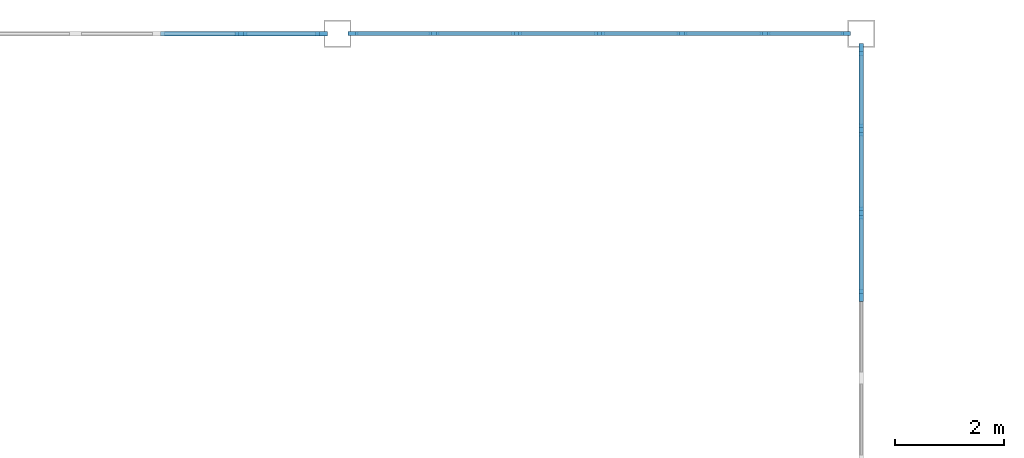
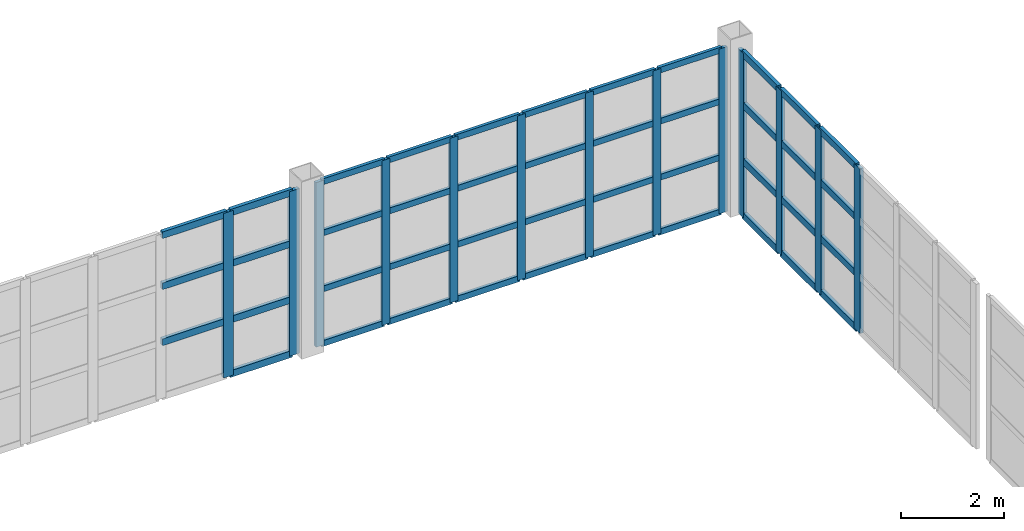
# One storey, part 41 of 82: 56 members, 3 elements without a shape of their own.
"""IFC4 building model written with IfcOpenShell, lengths in metres."""

import ifcopenshell
import ifcopenshell.guid

model = None  # the IFC model being written
_history = None  # IfcOwnerHistory: only IFC2X3 demands one
_inside = {}  # id of a spatial element -> (the spatial element, [elements in it])
_under = {}  # id of a project, library or spatial element -> (it, [spatial elements below it])
_declared = {}  # id of a project -> (the project, [libraries it declares])
_typed = {}  # id of a type object -> (the type object, [elements of that type])
_made_of = {}  # id of a material, layer set ... -> (it, [elements and type objects made of it])


def new_model(schema):
    """Start an empty IFC model of exactly this schema.

    Asked for "IFC4X3", IfcOpenShell would pick the latest addendum, in which some entities
    have other attributes; the version numbers below select the first issue.
    IFC2X3 requires an IfcOwnerHistory on every rooted entity: one is made here for all.
    """
    global model, _history
    if schema == "IFC4X3":
        model = ifcopenshell.file(schema_version=(4, 3, 0, 0))
    else:
        model = ifcopenshell.file(schema=schema)
    _inside.clear()
    _under.clear()
    _declared.clear()
    _typed.clear()
    _made_of.clear()
    _history = None
    if model.schema == "IFC2X3":
        org = make("IfcOrganization", Name="unknown")
        user = make(
            "IfcPersonAndOrganization",
            ThePerson=make("IfcPerson", FamilyName="unknown"),
            TheOrganization=org,
        )
        app = make(
            "IfcApplication",
            ApplicationDeveloper=org,
            Version="unknown",
            ApplicationFullName="unknown",
            ApplicationIdentifier="unknown",
        )
        _history = make(
            "IfcOwnerHistory",
            OwningUser=user,
            OwningApplication=app,
            ChangeAction="ADDED",
            CreationDate=0,
        )
    return model


def make(cls, **values):
    """One entity of the class cls with the attributes given. An attribute that is None is left unset."""
    return model.create_entity(
        cls, **{name: value for name, value in values.items() if value is not None}
    )


def rooted(cls, **values):
    """An entity with a GlobalId (a new one), such as an element, a storey or a relation."""
    return make(cls, GlobalId=ifcopenshell.guid.new(), OwnerHistory=_history, **values)


def si_unit(unit_type, name, prefix=None):
    """IfcSIUnit, for example si_unit("LENGTHUNIT", "METRE", prefix="MILLI")."""
    return make("IfcSIUnit", UnitType=unit_type, Prefix=prefix, Name=name)


def assignment(units):
    """IfcUnitAssignment: the units of a project."""
    return None if units is None else make("IfcUnitAssignment", Units=units)


def point(xyz):
    """IfcCartesianPoint."""
    return None if xyz is None else make("IfcCartesianPoint", Coordinates=xyz)


def direction(xyz):
    """IfcDirection."""
    return None if xyz is None else make("IfcDirection", DirectionRatios=xyz)


def frame(location, z_axis=None, x_axis=None):
    """IfcAxis2Placement3D, a coordinate frame: its origin and axes. An axis left out is left unset."""
    return make(
        "IfcAxis2Placement3D",
        Location=point(location),
        Axis=direction(z_axis),
        RefDirection=direction(x_axis),
    )


def frame_2d(location, x_axis=None):
    """IfcAxis2Placement2D, a coordinate frame in the plane: its origin and x axis."""
    return make(
        "IfcAxis2Placement2D", Location=point(location), RefDirection=direction(x_axis)
    )


def origin():
    """The frame at (0, 0, 0) with its axes left unset."""
    return frame((0.0, 0.0, 0.0))


def origin_2d():
    """The frame at (0, 0) in the plane with its x axis left unset."""
    return frame_2d((0.0, 0.0))


def place(relative_to, where):
    """IfcLocalPlacement: puts the frame where relative to a parent placement (None: the world)."""
    return make(
        "IfcLocalPlacement", PlacementRelTo=relative_to, RelativePlacement=where
    )


def context(
    kind, dimensions, precision=None, world=None, true_north=None, identifier=None
):
    """IfcGeometricRepresentationContext, for example the 3D "Model" context."""
    return make(
        "IfcGeometricRepresentationContext",
        ContextIdentifier=identifier,
        ContextType=kind,
        CoordinateSpaceDimension=dimensions,
        Precision=precision,
        WorldCoordinateSystem=world,
        TrueNorth=true_north,
    )


def subcontext(parent, identifier, kind, view, scale=None):
    """IfcGeometricRepresentationSubContext, for example "Body" below "Model"."""
    return make(
        "IfcGeometricRepresentationSubContext",
        ContextIdentifier=identifier,
        ContextType=kind,
        ParentContext=parent,
        TargetScale=scale,
        TargetView=view,
    )


def project(units=None, contexts=None):
    """IfcProject with its units and contexts."""
    return rooted(
        "IfcProject",
        Name="project",
        RepresentationContexts=contexts,
        UnitsInContext=assignment(units),
    )


def spatial(cls, under=None, at=None, **own):
    """A site, building, storey or space (cls), placed at a placement, below another one or the project."""
    s = rooted(cls, ObjectPlacement=at, **own)
    if under is not None:
        _under.setdefault(under.id(), (under, []))[1].append(s)
    return s


def profile(cls, at=None, kind="AREA", **sizes):
    """A parametric profile (cls). Its sizes go by their IFC names, for example OverallWidth=200.0."""
    return make(cls, ProfileType=kind, Position=at, **sizes)


def rectangle(**sizes):
    """IfcRectangleProfileDef."""
    return profile("IfcRectangleProfileDef", **sizes)


def extrude(swept, where, along, depth):
    """IfcExtrudedAreaSolid: the profile swept, set in the frame where, extruded along a direction by depth."""
    return make(
        "IfcExtrudedAreaSolid",
        SweptArea=swept,
        Position=where,
        ExtrudedDirection=direction(along),
        Depth=depth,
    )


def shape(context_of_items, identifier, shape_type, items):
    """IfcShapeRepresentation: the items that make up one representation, for example the "Body"."""
    return make(
        "IfcShapeRepresentation",
        ContextOfItems=context_of_items,
        RepresentationIdentifier=identifier,
        RepresentationType=shape_type,
        Items=items,
    )


def material(Name=None, Category=None):
    """IfcMaterial."""
    return make("IfcMaterial", Name=Name, Category=Category)


def layer(
    of_material, thickness, ventilated=None, Name=None, Category=None, Priority=None
):
    """IfcMaterialLayer: one layer of a wall or slab, of a material (None: an air gap)."""
    return make(
        "IfcMaterialLayer",
        Material=of_material,
        LayerThickness=thickness,
        IsVentilated=ventilated,
        Name=Name,
        Category=Category,
        Priority=Priority,
    )


def layer_set(layers, Name=None):
    """IfcMaterialLayerSet."""
    return make("IfcMaterialLayerSet", MaterialLayers=layers, LayerSetName=Name)


def material_profile(
    of_material, cross_section, Name=None, Category=None, Priority=None
):
    """IfcMaterialProfile: a cross section and its material."""
    return make(
        "IfcMaterialProfile",
        Name=Name,
        Material=of_material,
        Profile=cross_section,
        Priority=Priority,
        Category=Category,
    )


def profile_set(profiles, Name=None, composite=None):
    """IfcMaterialProfileSet."""
    return make(
        "IfcMaterialProfileSet",
        Name=Name,
        MaterialProfiles=profiles,
        CompositeProfile=composite,
    )


def made_of(thing, what):
    """Note that an element or type object is made of a material, layer set ...; save() writes the relation."""
    if what is not None:
        _made_of.setdefault(what.id(), (what, []))[1].append(thing)
    return thing


def type_object(cls, material=None, **own):
    """A type object (cls), such as IfcWallType, which elements share."""
    return made_of(rooted(cls, **own), material)


def element(
    cls,
    number,
    at=None,
    inside=None,
    cuts=None,
    type_object=None,
    material=None,
    context=None,
    identifier="Body",
    shape_type=None,
    held_by="IfcProductDefinitionShape",
    body=None,
    shapes=None,
    **own,
):
    """One element of the class cls, such as IfcWall. Its Tag is "e" and its number.

    at: its placement. inside: the storey or other place that contains it. cuts: it is an
    opening in that element (IfcRelVoidsElement). A single representation is given by context,
    identifier, shape_type and body (its items); several are given by shapes. held_by: the class
    of the entity that holds the representations. save() writes the other relations.
    """
    e = rooted(cls, Tag="e%d" % number, ObjectPlacement=at, **own)
    if body is not None:
        shapes = [shape(context, identifier, shape_type, body)]
    if shapes is not None:
        e.Representation = make(held_by, Representations=shapes)
    if inside is not None:
        _inside.setdefault(inside.id(), (inside, []))[1].append(e)
    if cuts is not None:
        rooted(
            "IfcRelVoidsElement", RelatingBuildingElement=cuts, RelatedOpeningElement=e
        )
    if type_object is not None:
        _typed.setdefault(type_object.id(), (type_object, []))[1].append(e)
    return made_of(e, material)


def aggregate(whole, parts):
    """IfcRelAggregates: a whole, such as a stair, and the parts it consists of."""
    return rooted("IfcRelAggregates", RelatingObject=whole, RelatedObjects=parts)


def save(model, path):
    """Write the relations noted so far, then the file.

    IfcRelAggregates (storeys below a building ...), IfcRelContainedInSpatialStructure (elements
    in a storey), IfcRelDefinesByType, IfcRelAssociatesMaterial and IfcRelDeclares: one each for
    every whole, place, type object, material and project.
    """
    for whole, parts in _under.values():
        aggregate(whole, parts)
    for where, things in _inside.values():
        rooted(
            "IfcRelContainedInSpatialStructure",
            RelatedElements=things,
            RelatingStructure=where,
        )
    for kind, things in _typed.values():
        rooted("IfcRelDefinesByType", RelatedObjects=things, RelatingType=kind)
    for what, things in _made_of.values():
        rooted("IfcRelAssociatesMaterial", RelatedObjects=things, RelatingMaterial=what)
    for by, libraries in _declared.values():
        rooted("IfcRelDeclares", RelatingContext=by, RelatedDefinitions=libraries)
    model.write(path)


model = new_model("IFC4")

# Units and contexts
model_context = context("Model", 3, precision=1e-05, world=origin(), true_north=direction((0.0, 1.0)))
body_context = subcontext(model_context, "Body", "Model", "MODEL_VIEW")
ifc_project = project(units=[si_unit("LENGTHUNIT", "METRE"), si_unit("AREAUNIT", "SQUARE_METRE"), si_unit("VOLUMEUNIT", "CUBIC_METRE"), si_unit("PLANEANGLEUNIT", "RADIAN"), si_unit("MASSUNIT", "GRAM", prefix="KILO")], contexts=[model_context])

# Site, building, storey
site_placement = place(None, origin())
site = spatial("IfcSite", under=ifc_project, at=site_placement, CompositionType="ELEMENT")
building_placement = place(site_placement, origin())
building = spatial("IfcBuilding", under=site, at=building_placement, Name="Zarnetskaya Central Station", CompositionType="ELEMENT")
storey_placement = place(building_placement, frame((0.0, 0.0, 10.199951171875)))
storey = spatial("IfcBuildingStorey", under=building, at=storey_placement, Name="L02", CompositionType="ELEMENT", Elevation=10.199951171875)

# Curtain wall, members
ifc_material_1 = material(Name="Low-E insulated glass", Category="glass")
ifc_layer = layer(ifc_material_1, 0.1640625, Name="Low-E insulated glass", Category="glass")
ifc_layer_set = layer_set([ifc_layer], Name="Low-E insulated glass")
curtain_wall_type = type_object("IfcCurtainWallType", Name="CW-SYS-12", PredefinedType="USERDEFINED", material=ifc_layer_set)
curtain_wall_1_placement = place(storey_placement, origin())
curtain_wall_1 = element("IfcCurtainWall", 1, at=curtain_wall_1_placement, inside=storey, type_object=curtain_wall_type, Name="Curtain wall CW-L02-175", ObjectType="CURTAIN WALL", PredefinedType="USERDEFINED")
ifc_material_2 = material(Name="Anodised aluminium", Category="aluminium")
ifc_material_profile_1 = material_profile(ifc_material_2, rectangle(XDim=0.070068359375, YDim=0.179931640625, at=origin_2d()), Name="ALU MULL 70x180")
ifc_profile_set_1 = profile_set([ifc_material_profile_1], Name="Anodised aluminium")
member_type_1 = type_object("IfcMemberType", Name="CW-MULL-180", PredefinedType="MULLION", material=ifc_profile_set_1)
member_1_placement = place(storey_placement, frame((115.485107421875, 124.800048828125, 0.0), z_axis=(0.0, 0.0, 1.0), x_axis=(0.0, 1.0, 0.0)))
member_1 = element("IfcMember", 2, at=member_1_placement, type_object=member_type_1, Name="CW-18 mullion 1", PredefinedType="MULLION", context=body_context, shape_type="SweptSolid", body=[
    extrude(rectangle(XDim=0.070068359375, YDim=0.179931640625, at=origin_2d()), origin(), (0.0, 0.0, 1.0), 3.900146484375),
])
member_2_placement = place(storey_placement, frame((116.966552734375, 124.800048828125, 0.0), z_axis=(0.0, 0.0, 1.0), x_axis=(0.0, 1.0, 0.0)))
member_2 = element("IfcMember", 3, at=member_2_placement, type_object=member_type_1, Name="CW-18 mullion 2", PredefinedType="MULLION", context=body_context, shape_type="SweptSolid", body=[
    extrude(rectangle(XDim=0.070068359375, YDim=0.179931640625, at=origin_2d()), origin(), (0.0, 0.0, 1.0), 3.900146484375),
])
member_3_placement = place(storey_placement, frame((118.4833984375, 124.800048828125, 0.0), z_axis=(0.0, 0.0, 1.0), x_axis=(0.0, 1.0, 0.0)))
member_3 = element("IfcMember", 4, at=member_3_placement, type_object=member_type_1, Name="CW-18 mullion 3", PredefinedType="MULLION", context=body_context, shape_type="SweptSolid", body=[
    extrude(rectangle(XDim=0.070068359375, YDim=0.179931640625, at=origin_2d()), origin(), (0.0, 0.0, 1.0), 3.900146484375),
])
member_4_placement = place(storey_placement, frame((120.0, 124.800048828125, 0.0), z_axis=(0.0, 0.0, 1.0), x_axis=(0.0, 1.0, 0.0)))
member_4 = element("IfcMember", 5, at=member_4_placement, type_object=member_type_1, Name="CW-18 mullion 4", PredefinedType="MULLION", context=body_context, shape_type="SweptSolid", body=[
    extrude(rectangle(XDim=0.070068359375, YDim=0.179931640625, at=origin_2d()), origin(), (0.0, 0.0, 1.0), 3.900146484375),
])
member_5_placement = place(storey_placement, frame((121.5166015625, 124.800048828125, 0.0), z_axis=(0.0, 0.0, 1.0), x_axis=(0.0, 1.0, 0.0)))
member_5 = element("IfcMember", 6, at=member_5_placement, type_object=member_type_1, Name="CW-18 mullion 5", PredefinedType="MULLION", context=body_context, shape_type="SweptSolid", body=[
    extrude(rectangle(XDim=0.070068359375, YDim=0.179931640625, at=origin_2d()), origin(), (0.0, 0.0, 1.0), 3.900146484375),
])
member_6_placement = place(storey_placement, frame((123.033447265625, 124.800048828125, 0.0), z_axis=(0.0, 0.0, 1.0), x_axis=(0.0, 1.0, 0.0)))
member_6 = element("IfcMember", 7, at=member_6_placement, type_object=member_type_1, Name="CW-18 mullion 6", PredefinedType="MULLION", context=body_context, shape_type="SweptSolid", body=[
    extrude(rectangle(XDim=0.070068359375, YDim=0.179931640625, at=origin_2d()), origin(), (0.0, 0.0, 1.0), 3.900146484375),
])
member_7_placement = place(storey_placement, frame((124.514892578125, 124.800048828125, 0.0), z_axis=(0.0, 0.0, 1.0), x_axis=(0.0, 1.0, 0.0)))
member_7 = element("IfcMember", 8, at=member_7_placement, type_object=member_type_1, Name="CW-18 mullion 7", PredefinedType="MULLION", context=body_context, shape_type="SweptSolid", body=[
    extrude(rectangle(XDim=0.070068359375, YDim=0.179931640625, at=origin_2d()), origin(), (0.0, 0.0, 1.0), 3.900146484375),
])

curtain_wall_2_placement = place(storey_placement, origin())
curtain_wall_2 = element("IfcCurtainWall", 9, at=curtain_wall_2_placement, inside=storey, type_object=curtain_wall_type, Name="Curtain wall CW-L02-174", ObjectType="CURTAIN WALL", PredefinedType="USERDEFINED")
ifc_material_profile_2 = material_profile(ifc_material_2, rectangle(XDim=0.080078125, YDim=0.219970703125, at=origin_2d()), Name="ALU MULL 80x220")
ifc_profile_set_2 = profile_set([ifc_material_profile_2], Name="Anodised aluminium")
member_type_2 = type_object("IfcMemberType", Name="CW-MULL-220", PredefinedType="MULLION", material=ifc_profile_set_2)
member_8_placement = place(storey_placement, frame((113.433349609375, 124.800048828125, 0.0), z_axis=(0.0, 0.0, 1.0), x_axis=(0.0, 1.0, 0.0)))
member_8 = element("IfcMember", 10, at=member_8_placement, type_object=member_type_2, Name="CW-18 mullion 6", PredefinedType="MULLION", context=body_context, shape_type="SweptSolid", body=[
    extrude(rectangle(XDim=0.080078125, YDim=0.219970703125, at=origin_2d()), origin(), (0.0, 0.0, 1.0), 3.900146484375),
])
member_9_placement = place(storey_placement, frame((114.909912109375, 124.800048828125, 0.0), z_axis=(0.0, 0.0, 1.0), x_axis=(0.0, 1.0, 0.0)))
member_9 = element("IfcMember", 11, at=member_9_placement, type_object=member_type_2, Name="CW-18 mullion 7", PredefinedType="MULLION", context=body_context, shape_type="SweptSolid", body=[
    extrude(rectangle(XDim=0.080078125, YDim=0.219970703125, at=origin_2d()), origin(), (0.0, 0.0, 1.0), 3.900146484375),
])

curtain_wall_3_placement = place(storey_placement, origin())
curtain_wall_3 = element("IfcCurtainWall", 12, at=curtain_wall_3_placement, inside=storey, type_object=curtain_wall_type, Name="Curtain wall CW-L02-176", ObjectType="CURTAIN WALL", PredefinedType="USERDEFINED")
member_10_placement = place(storey_placement, frame((124.800048828125, 124.510009765625, 0.0), z_axis=(0.0, 0.0, 1.0), x_axis=(1.0, 0.0, 0.0)))
member_10 = element("IfcMember", 13, at=member_10_placement, type_object=member_type_2, Name="CW-18 mullion 1", PredefinedType="MULLION", context=body_context, shape_type="SweptSolid", body=[
    extrude(rectangle(XDim=0.080078125, YDim=0.219970703125, at=origin_2d()), origin(), (0.0, 0.0, 1.0), 3.900146484375),
])
member_11_placement = place(storey_placement, frame((124.800048828125, 123.033447265625, 0.0), z_axis=(0.0, 0.0, 1.0), x_axis=(1.0, 0.0, 0.0)))
member_11 = element("IfcMember", 14, at=member_11_placement, type_object=member_type_2, Name="CW-18 mullion 2", PredefinedType="MULLION", context=body_context, shape_type="SweptSolid", body=[
    extrude(rectangle(XDim=0.080078125, YDim=0.219970703125, at=origin_2d()), origin(), (0.0, 0.0, 1.0), 3.900146484375),
])
member_12_placement = place(storey_placement, frame((124.800048828125, 121.5166015625, 0.0), z_axis=(0.0, 0.0, 1.0), x_axis=(1.0, 0.0, 0.0)))
member_12 = element("IfcMember", 15, at=member_12_placement, type_object=member_type_2, Name="CW-18 mullion 3", PredefinedType="MULLION", context=body_context, shape_type="SweptSolid", body=[
    extrude(rectangle(XDim=0.080078125, YDim=0.219970703125, at=origin_2d()), origin(), (0.0, 0.0, 1.0), 3.900146484375),
])
member_13_placement = place(storey_placement, frame((124.800048828125, 120.0, 0.0), z_axis=(0.0, 0.0, 1.0), x_axis=(1.0, 0.0, 0.0)))
member_13 = element("IfcMember", 16, at=member_13_placement, type_object=member_type_2, Name="CW-18 mullion 4", PredefinedType="MULLION", context=body_context, shape_type="SweptSolid", body=[
    extrude(rectangle(XDim=0.080078125, YDim=0.219970703125, at=origin_2d()), origin(), (0.0, 0.0, 1.0), 3.900146484375),
])

# Member
ifc_material_profile_3 = material_profile(ifc_material_2, rectangle(XDim=0.070068359375, YDim=0.139892578125, at=origin_2d()), Name="ALU TRAN 70x140")
ifc_profile_set_3 = profile_set([ifc_material_profile_3], Name="Anodised aluminium")
member_type_3 = type_object("IfcMemberType", Name="CW-TRAN-140", PredefinedType="USERDEFINED", material=ifc_profile_set_3)
member_14_placement = place(storey_placement, frame((115.52001953125, 124.800048828125, 0.03515625), z_axis=(1.0, 0.0, 0.0), x_axis=(0.0, 1.0, 0.0)))
member_14 = element("IfcMember", 17, at=member_14_placement, type_object=member_type_3, Name="CW-18 transom 1.1", ObjectType="TRANSOM", PredefinedType="USERDEFINED", context=body_context, shape_type="SweptSolid", body=[
    extrude(rectangle(XDim=0.070068359375, YDim=0.139892578125, at=origin_2d()), origin(), (0.0, 0.0, 1.0), 1.41162109375),
])

member_15_placement = place(storey_placement, frame((115.52001953125, 124.800048828125, 1.325927734375), z_axis=(1.0, 0.0, 0.0), x_axis=(0.0, 1.0, 0.0)))
member_15 = element("IfcMember", 18, at=member_15_placement, type_object=member_type_3, Name="CW-18 transom 1.2", ObjectType="TRANSOM", PredefinedType="USERDEFINED", context=body_context, shape_type="SweptSolid", body=[
    extrude(rectangle(XDim=0.070068359375, YDim=0.139892578125, at=origin_2d()), origin(), (0.0, 0.0, 1.0), 1.41162109375),
])

member_16_placement = place(storey_placement, frame((115.52001953125, 124.800048828125, 2.652099609375), z_axis=(1.0, 0.0, 0.0), x_axis=(0.0, 1.0, 0.0)))
member_16 = element("IfcMember", 19, at=member_16_placement, type_object=member_type_3, Name="CW-18 transom 1.3", ObjectType="TRANSOM", PredefinedType="USERDEFINED", context=body_context, shape_type="SweptSolid", body=[
    extrude(rectangle(XDim=0.070068359375, YDim=0.139892578125, at=origin_2d()), origin(), (0.0, 0.0, 1.0), 1.41162109375),
])

member_17_placement = place(storey_placement, frame((115.52001953125, 124.800048828125, 3.864990234375), z_axis=(1.0, 0.0, 0.0), x_axis=(0.0, 1.0, 0.0)))
member_17 = element("IfcMember", 20, at=member_17_placement, type_object=member_type_3, Name="CW-18 transom 1.4", ObjectType="TRANSOM", PredefinedType="USERDEFINED", context=body_context, shape_type="SweptSolid", body=[
    extrude(rectangle(XDim=0.070068359375, YDim=0.139892578125, at=origin_2d()), origin(), (0.0, 0.0, 1.0), 1.41162109375),
])

member_18_placement = place(storey_placement, frame((117.001708984375, 124.800048828125, 0.03515625), z_axis=(1.0, 0.0, 0.0), x_axis=(0.0, 1.0, 0.0)))
member_18 = element("IfcMember", 21, at=member_18_placement, type_object=member_type_3, Name="CW-18 transom 2.1", ObjectType="TRANSOM", PredefinedType="USERDEFINED", context=body_context, shape_type="SweptSolid", body=[
    extrude(rectangle(XDim=0.070068359375, YDim=0.139892578125, at=origin_2d()), origin(), (0.0, 0.0, 1.0), 1.446533203125),
])

member_19_placement = place(storey_placement, frame((117.001708984375, 124.800048828125, 1.325927734375), z_axis=(1.0, 0.0, 0.0), x_axis=(0.0, 1.0, 0.0)))
member_19 = element("IfcMember", 22, at=member_19_placement, type_object=member_type_3, Name="CW-18 transom 2.2", ObjectType="TRANSOM", PredefinedType="USERDEFINED", context=body_context, shape_type="SweptSolid", body=[
    extrude(rectangle(XDim=0.070068359375, YDim=0.139892578125, at=origin_2d()), origin(), (0.0, 0.0, 1.0), 1.446533203125),
])

member_20_placement = place(storey_placement, frame((117.001708984375, 124.800048828125, 2.652099609375), z_axis=(1.0, 0.0, 0.0), x_axis=(0.0, 1.0, 0.0)))
member_20 = element("IfcMember", 23, at=member_20_placement, type_object=member_type_3, Name="CW-18 transom 2.3", ObjectType="TRANSOM", PredefinedType="USERDEFINED", context=body_context, shape_type="SweptSolid", body=[
    extrude(rectangle(XDim=0.070068359375, YDim=0.139892578125, at=origin_2d()), origin(), (0.0, 0.0, 1.0), 1.446533203125),
])

member_21_placement = place(storey_placement, frame((117.001708984375, 124.800048828125, 3.864990234375), z_axis=(1.0, 0.0, 0.0), x_axis=(0.0, 1.0, 0.0)))
member_21 = element("IfcMember", 24, at=member_21_placement, type_object=member_type_3, Name="CW-18 transom 2.4", ObjectType="TRANSOM", PredefinedType="USERDEFINED", context=body_context, shape_type="SweptSolid", body=[
    extrude(rectangle(XDim=0.070068359375, YDim=0.139892578125, at=origin_2d()), origin(), (0.0, 0.0, 1.0), 1.446533203125),
])

member_22_placement = place(storey_placement, frame((118.518310546875, 124.800048828125, 0.03515625), z_axis=(1.0, 0.0, 0.0), x_axis=(0.0, 1.0, 0.0)))
member_22 = element("IfcMember", 25, at=member_22_placement, type_object=member_type_3, Name="CW-18 transom 3.1", ObjectType="TRANSOM", PredefinedType="USERDEFINED", context=body_context, shape_type="SweptSolid", body=[
    extrude(rectangle(XDim=0.070068359375, YDim=0.139892578125, at=origin_2d()), origin(), (0.0, 0.0, 1.0), 1.44677734375),
])

member_23_placement = place(storey_placement, frame((118.518310546875, 124.800048828125, 1.325927734375), z_axis=(1.0, 0.0, 0.0), x_axis=(0.0, 1.0, 0.0)))
member_23 = element("IfcMember", 26, at=member_23_placement, type_object=member_type_3, Name="CW-18 transom 3.2", ObjectType="TRANSOM", PredefinedType="USERDEFINED", context=body_context, shape_type="SweptSolid", body=[
    extrude(rectangle(XDim=0.070068359375, YDim=0.139892578125, at=origin_2d()), origin(), (0.0, 0.0, 1.0), 1.44677734375),
])

member_24_placement = place(storey_placement, frame((118.518310546875, 124.800048828125, 2.652099609375), z_axis=(1.0, 0.0, 0.0), x_axis=(0.0, 1.0, 0.0)))
member_24 = element("IfcMember", 27, at=member_24_placement, type_object=member_type_3, Name="CW-18 transom 3.3", ObjectType="TRANSOM", PredefinedType="USERDEFINED", context=body_context, shape_type="SweptSolid", body=[
    extrude(rectangle(XDim=0.070068359375, YDim=0.139892578125, at=origin_2d()), origin(), (0.0, 0.0, 1.0), 1.44677734375),
])

member_25_placement = place(storey_placement, frame((118.518310546875, 124.800048828125, 3.864990234375), z_axis=(1.0, 0.0, 0.0), x_axis=(0.0, 1.0, 0.0)))
member_25 = element("IfcMember", 28, at=member_25_placement, type_object=member_type_3, Name="CW-18 transom 3.4", ObjectType="TRANSOM", PredefinedType="USERDEFINED", context=body_context, shape_type="SweptSolid", body=[
    extrude(rectangle(XDim=0.070068359375, YDim=0.139892578125, at=origin_2d()), origin(), (0.0, 0.0, 1.0), 1.44677734375),
])

member_26_placement = place(storey_placement, frame((120.034912109375, 124.800048828125, 0.03515625), z_axis=(1.0, 0.0, 0.0), x_axis=(0.0, 1.0, 0.0)))
member_26 = element("IfcMember", 29, at=member_26_placement, type_object=member_type_3, Name="CW-18 transom 4.1", ObjectType="TRANSOM", PredefinedType="USERDEFINED", context=body_context, shape_type="SweptSolid", body=[
    extrude(rectangle(XDim=0.070068359375, YDim=0.139892578125, at=origin_2d()), origin(), (0.0, 0.0, 1.0), 1.44677734375),
])

member_27_placement = place(storey_placement, frame((120.034912109375, 124.800048828125, 1.325927734375), z_axis=(1.0, 0.0, 0.0), x_axis=(0.0, 1.0, 0.0)))
member_27 = element("IfcMember", 30, at=member_27_placement, type_object=member_type_3, Name="CW-18 transom 4.2", ObjectType="TRANSOM", PredefinedType="USERDEFINED", context=body_context, shape_type="SweptSolid", body=[
    extrude(rectangle(XDim=0.070068359375, YDim=0.139892578125, at=origin_2d()), origin(), (0.0, 0.0, 1.0), 1.44677734375),
])

member_28_placement = place(storey_placement, frame((120.034912109375, 124.800048828125, 2.652099609375), z_axis=(1.0, 0.0, 0.0), x_axis=(0.0, 1.0, 0.0)))
member_28 = element("IfcMember", 31, at=member_28_placement, type_object=member_type_3, Name="CW-18 transom 4.3", ObjectType="TRANSOM", PredefinedType="USERDEFINED", context=body_context, shape_type="SweptSolid", body=[
    extrude(rectangle(XDim=0.070068359375, YDim=0.139892578125, at=origin_2d()), origin(), (0.0, 0.0, 1.0), 1.44677734375),
])

member_29_placement = place(storey_placement, frame((120.034912109375, 124.800048828125, 3.864990234375), z_axis=(1.0, 0.0, 0.0), x_axis=(0.0, 1.0, 0.0)))
member_29 = element("IfcMember", 32, at=member_29_placement, type_object=member_type_3, Name="CW-18 transom 4.4", ObjectType="TRANSOM", PredefinedType="USERDEFINED", context=body_context, shape_type="SweptSolid", body=[
    extrude(rectangle(XDim=0.070068359375, YDim=0.139892578125, at=origin_2d()), origin(), (0.0, 0.0, 1.0), 1.44677734375),
])

member_30_placement = place(storey_placement, frame((121.5517578125, 124.800048828125, 0.03515625), z_axis=(1.0, 0.0, 0.0), x_axis=(0.0, 1.0, 0.0)))
member_30 = element("IfcMember", 33, at=member_30_placement, type_object=member_type_3, Name="CW-18 transom 5.1", ObjectType="TRANSOM", PredefinedType="USERDEFINED", context=body_context, shape_type="SweptSolid", body=[
    extrude(rectangle(XDim=0.070068359375, YDim=0.139892578125, at=origin_2d()), origin(), (0.0, 0.0, 1.0), 1.446533203125),
])

member_31_placement = place(storey_placement, frame((121.5517578125, 124.800048828125, 1.325927734375), z_axis=(1.0, 0.0, 0.0), x_axis=(0.0, 1.0, 0.0)))
member_31 = element("IfcMember", 34, at=member_31_placement, type_object=member_type_3, Name="CW-18 transom 5.2", ObjectType="TRANSOM", PredefinedType="USERDEFINED", context=body_context, shape_type="SweptSolid", body=[
    extrude(rectangle(XDim=0.070068359375, YDim=0.139892578125, at=origin_2d()), origin(), (0.0, 0.0, 1.0), 1.446533203125),
])

member_32_placement = place(storey_placement, frame((121.5517578125, 124.800048828125, 2.652099609375), z_axis=(1.0, 0.0, 0.0), x_axis=(0.0, 1.0, 0.0)))
member_32 = element("IfcMember", 35, at=member_32_placement, type_object=member_type_3, Name="CW-18 transom 5.3", ObjectType="TRANSOM", PredefinedType="USERDEFINED", context=body_context, shape_type="SweptSolid", body=[
    extrude(rectangle(XDim=0.070068359375, YDim=0.139892578125, at=origin_2d()), origin(), (0.0, 0.0, 1.0), 1.446533203125),
])

member_33_placement = place(storey_placement, frame((121.5517578125, 124.800048828125, 3.864990234375), z_axis=(1.0, 0.0, 0.0), x_axis=(0.0, 1.0, 0.0)))
member_33 = element("IfcMember", 36, at=member_33_placement, type_object=member_type_3, Name="CW-18 transom 5.4", ObjectType="TRANSOM", PredefinedType="USERDEFINED", context=body_context, shape_type="SweptSolid", body=[
    extrude(rectangle(XDim=0.070068359375, YDim=0.139892578125, at=origin_2d()), origin(), (0.0, 0.0, 1.0), 1.446533203125),
])

member_34_placement = place(storey_placement, frame((123.068359375, 124.800048828125, 0.03515625), z_axis=(1.0, 0.0, 0.0), x_axis=(0.0, 1.0, 0.0)))
member_34 = element("IfcMember", 37, at=member_34_placement, type_object=member_type_3, Name="CW-18 transom 6.1", ObjectType="TRANSOM", PredefinedType="USERDEFINED", context=body_context, shape_type="SweptSolid", body=[
    extrude(rectangle(XDim=0.070068359375, YDim=0.139892578125, at=origin_2d()), origin(), (0.0, 0.0, 1.0), 1.41162109375),
])

member_35_placement = place(storey_placement, frame((123.068359375, 124.800048828125, 1.325927734375), z_axis=(1.0, 0.0, 0.0), x_axis=(0.0, 1.0, 0.0)))
member_35 = element("IfcMember", 38, at=member_35_placement, type_object=member_type_3, Name="CW-18 transom 6.2", ObjectType="TRANSOM", PredefinedType="USERDEFINED", context=body_context, shape_type="SweptSolid", body=[
    extrude(rectangle(XDim=0.070068359375, YDim=0.139892578125, at=origin_2d()), origin(), (0.0, 0.0, 1.0), 1.41162109375),
])

member_36_placement = place(storey_placement, frame((123.068359375, 124.800048828125, 2.652099609375), z_axis=(1.0, 0.0, 0.0), x_axis=(0.0, 1.0, 0.0)))
member_36 = element("IfcMember", 39, at=member_36_placement, type_object=member_type_3, Name="CW-18 transom 6.3", ObjectType="TRANSOM", PredefinedType="USERDEFINED", context=body_context, shape_type="SweptSolid", body=[
    extrude(rectangle(XDim=0.070068359375, YDim=0.139892578125, at=origin_2d()), origin(), (0.0, 0.0, 1.0), 1.41162109375),
])

member_37_placement = place(storey_placement, frame((123.068359375, 124.800048828125, 3.864990234375), z_axis=(1.0, 0.0, 0.0), x_axis=(0.0, 1.0, 0.0)))
member_37 = element("IfcMember", 40, at=member_37_placement, type_object=member_type_3, Name="CW-18 transom 6.4", ObjectType="TRANSOM", PredefinedType="USERDEFINED", context=body_context, shape_type="SweptSolid", body=[
    extrude(rectangle(XDim=0.070068359375, YDim=0.139892578125, at=origin_2d()), origin(), (0.0, 0.0, 1.0), 1.41162109375),
])

aggregate(curtain_wall_1, [member_1, member_2, member_3, member_4, member_5, member_6, member_7, member_14, member_15, member_16, member_17, member_18, member_19, member_20, member_21, member_22, member_23, member_24, member_25, member_26, member_27, member_28, member_29, member_30, member_31, member_32, member_33, member_34, member_35, member_36, member_37])

ifc_material_profile_4 = material_profile(ifc_material_2, rectangle(XDim=0.080078125, YDim=0.159912109375, at=origin_2d()), Name="ALU TRAN 80x160")
ifc_profile_set_4 = profile_set([ifc_material_profile_4], Name="Anodised aluminium")
member_type_4 = type_object("IfcMemberType", Name="CW-TRAN-160", PredefinedType="USERDEFINED", material=ifc_profile_set_4)
member_38_placement = place(storey_placement, frame((111.956787109375, 124.800048828125, 1.325927734375), z_axis=(1.0, 0.0, 0.0), x_axis=(0.0, 1.0, 0.0)))
member_38 = element("IfcMember", 41, at=member_38_placement, type_object=member_type_4, Name="CW-18 transom 5.2", ObjectType="TRANSOM", PredefinedType="USERDEFINED", context=body_context, shape_type="SweptSolid", body=[
    extrude(rectangle(XDim=0.080078125, YDim=0.159912109375, at=origin_2d()), origin(), (0.0, 0.0, 1.0), 1.4365234375),
])

member_39_placement = place(storey_placement, frame((111.956787109375, 124.800048828125, 2.652099609375), z_axis=(1.0, 0.0, 0.0), x_axis=(0.0, 1.0, 0.0)))
member_39 = element("IfcMember", 42, at=member_39_placement, type_object=member_type_4, Name="CW-18 transom 5.3", ObjectType="TRANSOM", PredefinedType="USERDEFINED", context=body_context, shape_type="SweptSolid", body=[
    extrude(rectangle(XDim=0.080078125, YDim=0.159912109375, at=origin_2d()), origin(), (0.0, 0.0, 1.0), 1.4365234375),
])

member_40_placement = place(storey_placement, frame((111.956787109375, 124.800048828125, 3.860107421875), z_axis=(1.0, 0.0, 0.0), x_axis=(0.0, 1.0, 0.0)))
member_40 = element("IfcMember", 43, at=member_40_placement, type_object=member_type_4, Name="CW-18 transom 5.4", ObjectType="TRANSOM", PredefinedType="USERDEFINED", context=body_context, shape_type="SweptSolid", body=[
    extrude(rectangle(XDim=0.080078125, YDim=0.159912109375, at=origin_2d()), origin(), (0.0, 0.0, 1.0), 1.4365234375),
])

member_41_placement = place(storey_placement, frame((113.473388671875, 124.800048828125, 0.0400390625), z_axis=(1.0, 0.0, 0.0), x_axis=(0.0, 1.0, 0.0)))
member_41 = element("IfcMember", 44, at=member_41_placement, type_object=member_type_4, Name="CW-18 transom 6.1", ObjectType="TRANSOM", PredefinedType="USERDEFINED", context=body_context, shape_type="SweptSolid", body=[
    extrude(rectangle(XDim=0.080078125, YDim=0.159912109375, at=origin_2d()), origin(), (0.0, 0.0, 1.0), 1.396728515625),
])

member_42_placement = place(storey_placement, frame((113.473388671875, 124.800048828125, 1.325927734375), z_axis=(1.0, 0.0, 0.0), x_axis=(0.0, 1.0, 0.0)))
member_42 = element("IfcMember", 45, at=member_42_placement, type_object=member_type_4, Name="CW-18 transom 6.2", ObjectType="TRANSOM", PredefinedType="USERDEFINED", context=body_context, shape_type="SweptSolid", body=[
    extrude(rectangle(XDim=0.080078125, YDim=0.159912109375, at=origin_2d()), origin(), (0.0, 0.0, 1.0), 1.396728515625),
])

member_43_placement = place(storey_placement, frame((113.473388671875, 124.800048828125, 2.652099609375), z_axis=(1.0, 0.0, 0.0), x_axis=(0.0, 1.0, 0.0)))
member_43 = element("IfcMember", 46, at=member_43_placement, type_object=member_type_4, Name="CW-18 transom 6.3", ObjectType="TRANSOM", PredefinedType="USERDEFINED", context=body_context, shape_type="SweptSolid", body=[
    extrude(rectangle(XDim=0.080078125, YDim=0.159912109375, at=origin_2d()), origin(), (0.0, 0.0, 1.0), 1.396728515625),
])

member_44_placement = place(storey_placement, frame((113.473388671875, 124.800048828125, 3.860107421875), z_axis=(1.0, 0.0, 0.0), x_axis=(0.0, 1.0, 0.0)))
member_44 = element("IfcMember", 47, at=member_44_placement, type_object=member_type_4, Name="CW-18 transom 6.4", ObjectType="TRANSOM", PredefinedType="USERDEFINED", context=body_context, shape_type="SweptSolid", body=[
    extrude(rectangle(XDim=0.080078125, YDim=0.159912109375, at=origin_2d()), origin(), (0.0, 0.0, 1.0), 1.396728515625),
])

aggregate(curtain_wall_2, [member_8, member_9, member_38, member_39, member_40, member_41, member_42, member_43, member_44])

member_45_placement = place(storey_placement, frame((124.800048828125, 124.469970703125, 0.0400390625), z_axis=(0.0, -1.0, 0.0), x_axis=(1.0, 0.0, 0.0)))
member_45 = element("IfcMember", 48, at=member_45_placement, type_object=member_type_4, Name="CW-18 transom 1.1", ObjectType="TRANSOM", PredefinedType="USERDEFINED", context=body_context, shape_type="SweptSolid", body=[
    extrude(rectangle(XDim=0.080078125, YDim=0.159912109375, at=origin_2d()), origin(), (0.0, 0.0, 1.0), 1.396728515625),
])

member_46_placement = place(storey_placement, frame((124.800048828125, 124.469970703125, 1.325927734375), z_axis=(0.0, -1.0, 0.0), x_axis=(1.0, 0.0, 0.0)))
member_46 = element("IfcMember", 49, at=member_46_placement, type_object=member_type_4, Name="CW-18 transom 1.2", ObjectType="TRANSOM", PredefinedType="USERDEFINED", context=body_context, shape_type="SweptSolid", body=[
    extrude(rectangle(XDim=0.080078125, YDim=0.159912109375, at=origin_2d()), origin(), (0.0, 0.0, 1.0), 1.396728515625),
])

member_47_placement = place(storey_placement, frame((124.800048828125, 124.469970703125, 2.652099609375), z_axis=(0.0, -1.0, 0.0), x_axis=(1.0, 0.0, 0.0)))
member_47 = element("IfcMember", 50, at=member_47_placement, type_object=member_type_4, Name="CW-18 transom 1.3", ObjectType="TRANSOM", PredefinedType="USERDEFINED", context=body_context, shape_type="SweptSolid", body=[
    extrude(rectangle(XDim=0.080078125, YDim=0.159912109375, at=origin_2d()), origin(), (0.0, 0.0, 1.0), 1.396728515625),
])

member_48_placement = place(storey_placement, frame((124.800048828125, 124.469970703125, 3.860107421875), z_axis=(0.0, -1.0, 0.0), x_axis=(1.0, 0.0, 0.0)))
member_48 = element("IfcMember", 51, at=member_48_placement, type_object=member_type_4, Name="CW-18 transom 1.4", ObjectType="TRANSOM", PredefinedType="USERDEFINED", context=body_context, shape_type="SweptSolid", body=[
    extrude(rectangle(XDim=0.080078125, YDim=0.159912109375, at=origin_2d()), origin(), (0.0, 0.0, 1.0), 1.396728515625),
])

member_49_placement = place(storey_placement, frame((124.800048828125, 122.993408203125, 0.0400390625), z_axis=(0.0, -1.0, 0.0), x_axis=(1.0, 0.0, 0.0)))
member_49 = element("IfcMember", 52, at=member_49_placement, type_object=member_type_4, Name="CW-18 transom 2.1", ObjectType="TRANSOM", PredefinedType="USERDEFINED", context=body_context, shape_type="SweptSolid", body=[
    extrude(rectangle(XDim=0.080078125, YDim=0.159912109375, at=origin_2d()), origin(), (0.0, 0.0, 1.0), 1.436767578125),
])

member_50_placement = place(storey_placement, frame((124.800048828125, 122.993408203125, 1.325927734375), z_axis=(0.0, -1.0, 0.0), x_axis=(1.0, 0.0, 0.0)))
member_50 = element("IfcMember", 53, at=member_50_placement, type_object=member_type_4, Name="CW-18 transom 2.2", ObjectType="TRANSOM", PredefinedType="USERDEFINED", context=body_context, shape_type="SweptSolid", body=[
    extrude(rectangle(XDim=0.080078125, YDim=0.159912109375, at=origin_2d()), origin(), (0.0, 0.0, 1.0), 1.436767578125),
])

member_51_placement = place(storey_placement, frame((124.800048828125, 122.993408203125, 2.652099609375), z_axis=(0.0, -1.0, 0.0), x_axis=(1.0, 0.0, 0.0)))
member_51 = element("IfcMember", 54, at=member_51_placement, type_object=member_type_4, Name="CW-18 transom 2.3", ObjectType="TRANSOM", PredefinedType="USERDEFINED", context=body_context, shape_type="SweptSolid", body=[
    extrude(rectangle(XDim=0.080078125, YDim=0.159912109375, at=origin_2d()), origin(), (0.0, 0.0, 1.0), 1.436767578125),
])

member_52_placement = place(storey_placement, frame((124.800048828125, 122.993408203125, 3.860107421875), z_axis=(0.0, -1.0, 0.0), x_axis=(1.0, 0.0, 0.0)))
member_52 = element("IfcMember", 55, at=member_52_placement, type_object=member_type_4, Name="CW-18 transom 2.4", ObjectType="TRANSOM", PredefinedType="USERDEFINED", context=body_context, shape_type="SweptSolid", body=[
    extrude(rectangle(XDim=0.080078125, YDim=0.159912109375, at=origin_2d()), origin(), (0.0, 0.0, 1.0), 1.436767578125),
])

member_53_placement = place(storey_placement, frame((124.800048828125, 121.4765625, 0.0400390625), z_axis=(0.0, -1.0, 0.0), x_axis=(1.0, 0.0, 0.0)))
member_53 = element("IfcMember", 56, at=member_53_placement, type_object=member_type_4, Name="CW-18 transom 3.1", ObjectType="TRANSOM", PredefinedType="USERDEFINED", context=body_context, shape_type="SweptSolid", body=[
    extrude(rectangle(XDim=0.080078125, YDim=0.159912109375, at=origin_2d()), origin(), (0.0, 0.0, 1.0), 1.4365234375),
])

member_54_placement = place(storey_placement, frame((124.800048828125, 121.4765625, 1.325927734375), z_axis=(0.0, -1.0, 0.0), x_axis=(1.0, 0.0, 0.0)))
member_54 = element("IfcMember", 57, at=member_54_placement, type_object=member_type_4, Name="CW-18 transom 3.2", ObjectType="TRANSOM", PredefinedType="USERDEFINED", context=body_context, shape_type="SweptSolid", body=[
    extrude(rectangle(XDim=0.080078125, YDim=0.159912109375, at=origin_2d()), origin(), (0.0, 0.0, 1.0), 1.4365234375),
])

member_55_placement = place(storey_placement, frame((124.800048828125, 121.4765625, 2.652099609375), z_axis=(0.0, -1.0, 0.0), x_axis=(1.0, 0.0, 0.0)))
member_55 = element("IfcMember", 58, at=member_55_placement, type_object=member_type_4, Name="CW-18 transom 3.3", ObjectType="TRANSOM", PredefinedType="USERDEFINED", context=body_context, shape_type="SweptSolid", body=[
    extrude(rectangle(XDim=0.080078125, YDim=0.159912109375, at=origin_2d()), origin(), (0.0, 0.0, 1.0), 1.4365234375),
])

member_56_placement = place(storey_placement, frame((124.800048828125, 121.4765625, 3.860107421875), z_axis=(0.0, -1.0, 0.0), x_axis=(1.0, 0.0, 0.0)))
member_56 = element("IfcMember", 59, at=member_56_placement, type_object=member_type_4, Name="CW-18 transom 3.4", ObjectType="TRANSOM", PredefinedType="USERDEFINED", context=body_context, shape_type="SweptSolid", body=[
    extrude(rectangle(XDim=0.080078125, YDim=0.159912109375, at=origin_2d()), origin(), (0.0, 0.0, 1.0), 1.4365234375),
])

aggregate(curtain_wall_3, [member_10, member_11, member_12, member_13, member_45, member_46, member_47, member_48, member_49, member_50, member_51, member_52, member_53, member_54, member_55, member_56])

save(model, "model.ifc")
